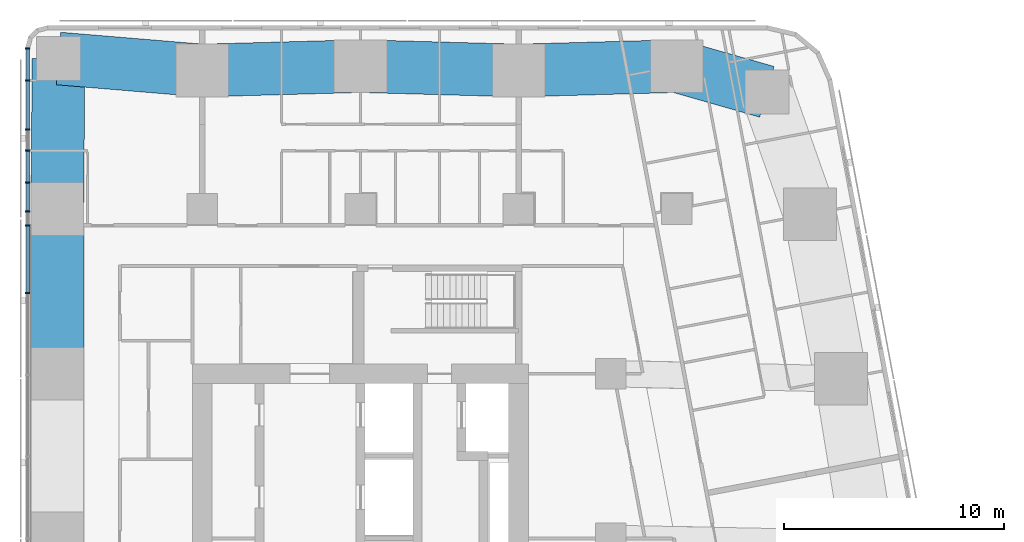
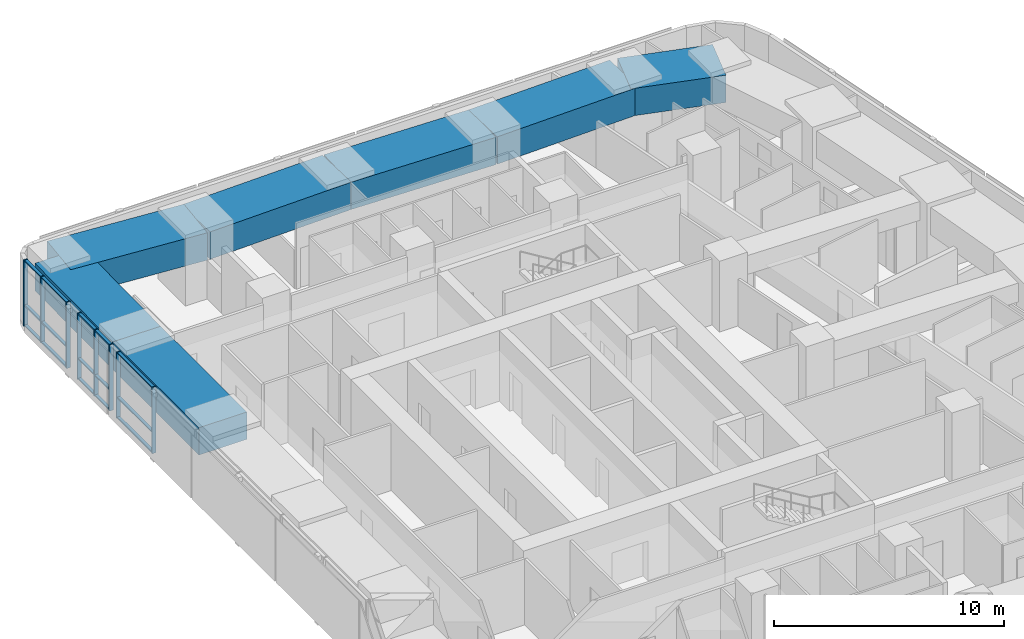
# One storey, part 5 of 19: 23 members, 7 beams, 1 element without a shape of its own.
"""IFC4 building model written with IfcOpenShell, lengths in metres."""

from ifc_helpers import new_model, si_unit, direction, frame, origin, origin_2d, place, context, subcontext, project, spatial, rectangle, extrude, material, material_profile, profile_set, type_object, element, aggregate, save


model = new_model("IFC4")

# Units and contexts
model_context = context("Model", 3, precision=1e-05, world=origin(), true_north=direction((0.0, 1.0)))
body_context = subcontext(model_context, "Body", "Model", "MODEL_VIEW")
ifc_project = project(units=[si_unit("LENGTHUNIT", "METRE"), si_unit("AREAUNIT", "SQUARE_METRE"), si_unit("VOLUMEUNIT", "CUBIC_METRE"), si_unit("PLANEANGLEUNIT", "RADIAN"), si_unit("MASSUNIT", "GRAM", prefix="KILO")], contexts=[model_context])

# Site, building, storey
site_placement = place(None, origin())
site = spatial("IfcSite", under=ifc_project, at=site_placement, CompositionType="ELEMENT")
building_placement = place(site_placement, origin())
building = spatial("IfcBuilding", under=site, at=building_placement, Name="Sheger Commons Tower", CompositionType="ELEMENT")
storey_placement = place(building_placement, frame((0.0, 0.0, 201.199951171875)))
storey = spatial("IfcBuildingStorey", under=building, at=storey_placement, Name="L51", CompositionType="ELEMENT", Elevation=201.199951171875)

# Curtain wall, members
ifc_material_1 = material(Name="Black aluminium curtain wall, dark tinted glazing", Category="aluminium")
curtain_wall_type = type_object("IfcCurtainWallType", Name="CURTAIN WALL CW4 GALLERY", PredefinedType="USERDEFINED", material=ifc_material_1)
curtain_wall_placement = place(storey_placement, origin())
curtain_wall = element("IfcCurtainWall", 1, at=curtain_wall_placement, inside=storey, type_object=curtain_wall_type, Name="Curtain Wall Cw4 Gallery W1 L51", ObjectType="UNITISED CURTAIN WALL", PredefinedType="USERDEFINED")
ifc_material_2 = material(Name="Black anodised aluminium", Category="aluminium")
ifc_material_profile_1 = material_profile(ifc_material_2, rectangle(XDim=0.199951171875, YDim=0.06494140625, at=origin_2d()), Name="AL 65x200")
ifc_profile_set_1 = profile_set([ifc_material_profile_1], Name="Black anodised aluminium")
member_type_1 = type_object("IfcMemberType", Name="MULLION AL 65x200", PredefinedType="MULLION", material=ifc_profile_set_1)
member_1_placement = place(storey_placement, frame((6.449951171875, 44.804443359375, 0.0), z_axis=(0.0, 0.0, 1.0), x_axis=(1.0, 0.0, 0.0)))
member_1 = element("IfcMember", 2, at=member_1_placement, type_object=member_type_1, Name="CW4 mullion 1", PredefinedType="MULLION", context=body_context, shape_type="SweptSolid", body=[
    extrude(rectangle(XDim=0.199951171875, YDim=0.06494140625, at=origin_2d()), origin(), (0.0, 0.0, 1.0), 3.5),
])
member_2_placement = place(storey_placement, frame((6.449951171875, 43.345947265625, 0.0), z_axis=(0.0, 0.0, 1.0), x_axis=(1.0, 0.0, 0.0)))
member_2 = element("IfcMember", 3, at=member_2_placement, type_object=member_type_1, Name="CW4 mullion 2", PredefinedType="MULLION", context=body_context, shape_type="SweptSolid", body=[
    extrude(rectangle(XDim=0.199951171875, YDim=0.06494140625, at=origin_2d()), origin(), (0.0, 0.0, 1.0), 3.5),
])
member_3_placement = place(storey_placement, frame((6.449951171875, 41.114013671875, 0.0), z_axis=(0.0, 0.0, 1.0), x_axis=(1.0, 0.0, 0.0)))
member_3 = element("IfcMember", 4, at=member_3_placement, type_object=member_type_1, Name="CW4 mullion 3", PredefinedType="MULLION", context=body_context, shape_type="SweptSolid", body=[
    extrude(rectangle(XDim=0.199951171875, YDim=0.06494140625, at=origin_2d()), origin(), (0.0, 0.0, 1.0), 3.5),
])
member_4_placement = place(storey_placement, frame((6.449951171875, 40.14990234375, 0.0), z_axis=(0.0, 0.0, 1.0), x_axis=(1.0, 0.0, 0.0)))
member_4 = element("IfcMember", 5, at=member_4_placement, type_object=member_type_1, Name="CW4 mullion 4", PredefinedType="MULLION", context=body_context, shape_type="SweptSolid", body=[
    extrude(rectangle(XDim=0.199951171875, YDim=0.06494140625, at=origin_2d()), origin(), (0.0, 0.0, 1.0), 3.5),
])
member_5_placement = place(storey_placement, frame((6.449951171875, 38.699951171875, 0.0), z_axis=(0.0, 0.0, 1.0), x_axis=(1.0, 0.0, 0.0)))
member_5 = element("IfcMember", 6, at=member_5_placement, type_object=member_type_1, Name="CW4 mullion 5", PredefinedType="MULLION", context=body_context, shape_type="SweptSolid", body=[
    extrude(rectangle(XDim=0.199951171875, YDim=0.06494140625, at=origin_2d()), origin(), (0.0, 0.0, 1.0), 3.5),
])
member_6_placement = place(storey_placement, frame((6.449951171875, 37.39111328125, 0.0), z_axis=(0.0, 0.0, 1.0), x_axis=(1.0, 0.0, 0.0)))
member_6 = element("IfcMember", 7, at=member_6_placement, type_object=member_type_1, Name="CW4 mullion 6", PredefinedType="MULLION", context=body_context, shape_type="SweptSolid", body=[
    extrude(rectangle(XDim=0.199951171875, YDim=0.06494140625, at=origin_2d()), origin(), (0.0, 0.0, 1.0), 3.5),
])
member_7_placement = place(storey_placement, frame((6.449951171875, 36.75, 0.0), z_axis=(0.0, 0.0, 1.0), x_axis=(1.0, 0.0, 0.0)))
member_7 = element("IfcMember", 8, at=member_7_placement, type_object=member_type_1, Name="CW4 mullion 7", PredefinedType="MULLION", context=body_context, shape_type="SweptSolid", body=[
    extrude(rectangle(XDim=0.199951171875, YDim=0.06494140625, at=origin_2d()), origin(), (0.0, 0.0, 1.0), 3.5),
])
member_8_placement = place(storey_placement, frame((6.449951171875, 33.66796875, 0.0), z_axis=(0.0, 0.0, 1.0), x_axis=(1.0, 0.0, 0.0)))
member_8 = element("IfcMember", 9, at=member_8_placement, type_object=member_type_1, Name="CW4 mullion 8", PredefinedType="MULLION", context=body_context, shape_type="SweptSolid", body=[
    extrude(rectangle(XDim=0.199951171875, YDim=0.06494140625, at=origin_2d()), origin(), (0.0, 0.0, 1.0), 3.5),
])

# Beams
ifc_material_3 = material(Name="Concrete C50/60", Category="concrete")
ifc_material_profile_2 = material_profile(ifc_material_3, rectangle(XDim=2.39990234375, YDim=1.449951171875, at=origin_2d()), Name="RC 2400x1450")
ifc_profile_set_2 = profile_set([ifc_material_profile_2], Name="Concrete C50/60")
beam_type = type_object("IfcBeamType", Name="SPANDREL RC 2400x1450", PredefinedType="SPANDREL", material=ifc_profile_set_2)
beam_1_placement = place(storey_placement, frame((40.10205078125, 42.830078125, 2.775146484375), z_axis=(-0.961653428129, 0.274267541221, 0.0), x_axis=(-0.274267541221, -0.961653428129, 0.0)))
element("IfcBeam", 10, at=beam_1_placement, inside=storey, type_object=beam_type, Name="Beam 41.490,44.505-6/G under L52", PredefinedType="SPANDREL", context=body_context, shape_type="SweptSolid", body=[
    extrude(rectangle(XDim=2.39990234375, YDim=1.449951171875, at=origin_2d()), origin(), (0.0, 0.0, 1.0), 4.265625),
])
for number, where, z_axis, x_axis, name in (
    (11, (36.0, 44.0, 2.775146484375), (-0.999614603568, -0.027760481514, 0.0), (0.027760481514, -0.999614603568, 0.0), "Beam 6/G-5/G under L52"),
    (12, (28.800048828125, 43.800048828125, 2.775146484375), (-0.999614603568, 0.027760481514, 0.0), (-0.027760481514, -0.999614603568, 0.0), "Beam 5/G-4/G under L52"),
):
    element("IfcBeam", number, at=place(storey_placement, frame(where, z_axis=z_axis, x_axis=x_axis)), inside=storey, type_object=beam_type, Name=name, PredefinedType="SPANDREL", context=body_context, shape_type="SweptSolid", body=[
        extrude(rectangle(XDim=2.39990234375, YDim=1.449951171875, at=origin_2d()), origin(), (0.0, 0.0, 1.0), 7.20263671875),
    ])
beam_2_placement = place(storey_placement, frame((21.60009765625, 44.0, 2.775146484375), z_axis=(-0.999614629688, -0.027759540951, 0.0), x_axis=(0.027759540951, -0.999614629688, 0.0)))
element("IfcBeam", 13, at=beam_2_placement, inside=storey, type_object=beam_type, Name="Beam 4/G-3/G under L52", PredefinedType="SPANDREL", context=body_context, shape_type="SweptSolid", body=[
    extrude(rectangle(XDim=2.39990234375, YDim=1.449951171875, at=origin_2d()), origin(), (0.0, 0.0, 1.0), 7.202880859375),
])
beam_3_placement = place(storey_placement, frame((14.39990234375, 43.800048828125, 2.775146484375), z_axis=(-0.996540629765, 0.083106998663, 0.0), x_axis=(-0.083106998663, -0.996540629765, 0.0)))
element("IfcBeam", 14, at=beam_3_placement, inside=storey, type_object=beam_type, Name="Beam 3/G-2/G under L52", PredefinedType="SPANDREL", context=body_context, shape_type="SweptSolid", body=[
    extrude(rectangle(XDim=2.39990234375, YDim=1.449951171875, at=origin_2d()), origin(), (0.0, 0.0, 1.0), 6.568603515625),
])
beam_4_placement = place(storey_placement, frame((7.85400390625, 44.345947265625, 2.775146484375), z_axis=(-0.00788107188, -0.999968943871, 0.0), x_axis=(0.999968943871, -0.00788107188, 0.0)))
element("IfcBeam", 15, at=beam_4_placement, inside=storey, type_object=beam_type, Name="Beam 2/G-2/F under L52", PredefinedType="SPANDREL", context=body_context, shape_type="SweptSolid", body=[
    extrude(rectangle(XDim=2.39990234375, YDim=1.449951171875, at=origin_2d()), origin(), (0.0, 0.0, 1.0), 6.84619140625),
])
beam_5_placement = place(storey_placement, frame((7.800048828125, 37.5, 2.775146484375), z_axis=(0.0, -1.0, 0.0), x_axis=(1.0, 0.0, 0.0)))
element("IfcBeam", 16, at=beam_5_placement, inside=storey, type_object=beam_type, Name="Beam 2/F-2/E under L52", PredefinedType="SPANDREL", context=body_context, shape_type="SweptSolid", body=[
    extrude(rectangle(XDim=2.39990234375, YDim=1.449951171875, at=origin_2d()), origin(), (0.0, 0.0, 1.0), 7.5),
])

# Member
ifc_material_4 = material(Name="Black anodised aluminium", Category="aluminium")
ifc_material_profile_3 = material_profile(ifc_material_4, rectangle(XDim=0.14990234375, YDim=0.06494140625, at=origin_2d()), Name="AL 65x150")
ifc_profile_set_3 = profile_set([ifc_material_profile_3], Name="Black anodised aluminium")
member_type_2 = type_object("IfcMemberType", Name="TRANSOM AL 65x150", PredefinedType="USERDEFINED", material=ifc_profile_set_3)
member_9_placement = place(storey_placement, frame((6.449951171875, 44.77197265625, 0.032470703125), z_axis=(0.0, -1.0, 0.0), x_axis=(1.0, 0.0, 0.0)))
member_9 = element("IfcMember", 17, at=member_9_placement, type_object=member_type_2, Name="CW4 transom 1.1", ObjectType="TRANSOM", PredefinedType="USERDEFINED", context=body_context, shape_type="SweptSolid", body=[
    extrude(rectangle(XDim=0.14990234375, YDim=0.06494140625, at=origin_2d()), origin(), (0.0, 0.0, 1.0), 1.3935546875),
])

member_10_placement = place(storey_placement, frame((6.449951171875, 44.77197265625, 1.10009765625), z_axis=(0.0, -1.0, 0.0), x_axis=(1.0, 0.0, 0.0)))
member_10 = element("IfcMember", 18, at=member_10_placement, type_object=member_type_2, Name="CW4 transom 1.2", ObjectType="TRANSOM", PredefinedType="USERDEFINED", context=body_context, shape_type="SweptSolid", body=[
    extrude(rectangle(XDim=0.14990234375, YDim=0.06494140625, at=origin_2d()), origin(), (0.0, 0.0, 1.0), 1.3935546875),
])

member_11_placement = place(storey_placement, frame((6.449951171875, 44.77197265625, 3.467529296875), z_axis=(0.0, -1.0, 0.0), x_axis=(1.0, 0.0, 0.0)))
member_11 = element("IfcMember", 19, at=member_11_placement, type_object=member_type_2, Name="CW4 transom 1.3", ObjectType="TRANSOM", PredefinedType="USERDEFINED", context=body_context, shape_type="SweptSolid", body=[
    extrude(rectangle(XDim=0.14990234375, YDim=0.06494140625, at=origin_2d()), origin(), (0.0, 0.0, 1.0), 1.3935546875),
])

member_12_placement = place(storey_placement, frame((6.449951171875, 43.3134765625, 0.032470703125), z_axis=(0.0, -1.0, 0.0), x_axis=(1.0, 0.0, 0.0)))
member_12 = element("IfcMember", 20, at=member_12_placement, type_object=member_type_2, Name="CW4 transom 2.1", ObjectType="TRANSOM", PredefinedType="USERDEFINED", context=body_context, shape_type="SweptSolid", body=[
    extrude(rectangle(XDim=0.14990234375, YDim=0.06494140625, at=origin_2d()), origin(), (0.0, 0.0, 1.0), 2.1669921875),
])

member_13_placement = place(storey_placement, frame((6.449951171875, 43.3134765625, 1.10009765625), z_axis=(0.0, -1.0, 0.0), x_axis=(1.0, 0.0, 0.0)))
member_13 = element("IfcMember", 21, at=member_13_placement, type_object=member_type_2, Name="CW4 transom 2.2", ObjectType="TRANSOM", PredefinedType="USERDEFINED", context=body_context, shape_type="SweptSolid", body=[
    extrude(rectangle(XDim=0.14990234375, YDim=0.06494140625, at=origin_2d()), origin(), (0.0, 0.0, 1.0), 2.1669921875),
])

member_14_placement = place(storey_placement, frame((6.449951171875, 43.3134765625, 3.467529296875), z_axis=(0.0, -1.0, 0.0), x_axis=(1.0, 0.0, 0.0)))
member_14 = element("IfcMember", 22, at=member_14_placement, type_object=member_type_2, Name="CW4 transom 2.3", ObjectType="TRANSOM", PredefinedType="USERDEFINED", context=body_context, shape_type="SweptSolid", body=[
    extrude(rectangle(XDim=0.14990234375, YDim=0.06494140625, at=origin_2d()), origin(), (0.0, 0.0, 1.0), 2.1669921875),
])

member_15_placement = place(storey_placement, frame((6.449951171875, 40.117431640625, 0.032470703125), z_axis=(0.0, -1.0, 0.0), x_axis=(1.0, 0.0, 0.0)))
member_15 = element("IfcMember", 23, at=member_15_placement, type_object=member_type_2, Name="CW4 transom 4.1", ObjectType="TRANSOM", PredefinedType="USERDEFINED", context=body_context, shape_type="SweptSolid", body=[
    extrude(rectangle(XDim=0.14990234375, YDim=0.06494140625, at=origin_2d()), origin(), (0.0, 0.0, 1.0), 1.385009765625),
])

member_16_placement = place(storey_placement, frame((6.449951171875, 40.117431640625, 1.10009765625), z_axis=(0.0, -1.0, 0.0), x_axis=(1.0, 0.0, 0.0)))
member_16 = element("IfcMember", 24, at=member_16_placement, type_object=member_type_2, Name="CW4 transom 4.2", ObjectType="TRANSOM", PredefinedType="USERDEFINED", context=body_context, shape_type="SweptSolid", body=[
    extrude(rectangle(XDim=0.14990234375, YDim=0.06494140625, at=origin_2d()), origin(), (0.0, 0.0, 1.0), 1.385009765625),
])

member_17_placement = place(storey_placement, frame((6.449951171875, 40.117431640625, 3.467529296875), z_axis=(0.0, -1.0, 0.0), x_axis=(1.0, 0.0, 0.0)))
member_17 = element("IfcMember", 25, at=member_17_placement, type_object=member_type_2, Name="CW4 transom 4.3", ObjectType="TRANSOM", PredefinedType="USERDEFINED", context=body_context, shape_type="SweptSolid", body=[
    extrude(rectangle(XDim=0.14990234375, YDim=0.06494140625, at=origin_2d()), origin(), (0.0, 0.0, 1.0), 1.385009765625),
])

member_18_placement = place(storey_placement, frame((6.449951171875, 38.66748046875, 0.032470703125), z_axis=(0.0, -1.0, 0.0), x_axis=(1.0, 0.0, 0.0)))
member_18 = element("IfcMember", 26, at=member_18_placement, type_object=member_type_2, Name="CW4 transom 5.1", ObjectType="TRANSOM", PredefinedType="USERDEFINED", context=body_context, shape_type="SweptSolid", body=[
    extrude(rectangle(XDim=0.14990234375, YDim=0.06494140625, at=origin_2d()), origin(), (0.0, 0.0, 1.0), 1.243896484375),
])

member_19_placement = place(storey_placement, frame((6.449951171875, 38.66748046875, 1.10009765625), z_axis=(0.0, -1.0, 0.0), x_axis=(1.0, 0.0, 0.0)))
member_19 = element("IfcMember", 27, at=member_19_placement, type_object=member_type_2, Name="CW4 transom 5.2", ObjectType="TRANSOM", PredefinedType="USERDEFINED", context=body_context, shape_type="SweptSolid", body=[
    extrude(rectangle(XDim=0.14990234375, YDim=0.06494140625, at=origin_2d()), origin(), (0.0, 0.0, 1.0), 1.243896484375),
])

member_20_placement = place(storey_placement, frame((6.449951171875, 38.66748046875, 3.467529296875), z_axis=(0.0, -1.0, 0.0), x_axis=(1.0, 0.0, 0.0)))
member_20 = element("IfcMember", 28, at=member_20_placement, type_object=member_type_2, Name="CW4 transom 5.3", ObjectType="TRANSOM", PredefinedType="USERDEFINED", context=body_context, shape_type="SweptSolid", body=[
    extrude(rectangle(XDim=0.14990234375, YDim=0.06494140625, at=origin_2d()), origin(), (0.0, 0.0, 1.0), 1.243896484375),
])

member_21_placement = place(storey_placement, frame((6.449951171875, 36.717529296875, 0.032470703125), z_axis=(0.0, -1.0, 0.0), x_axis=(1.0, 0.0, 0.0)))
member_21 = element("IfcMember", 29, at=member_21_placement, type_object=member_type_2, Name="CW4 transom 7.1", ObjectType="TRANSOM", PredefinedType="USERDEFINED", context=body_context, shape_type="SweptSolid", body=[
    extrude(rectangle(XDim=0.14990234375, YDim=0.06494140625, at=origin_2d()), origin(), (0.0, 0.0, 1.0), 3.01708984375),
])

member_22_placement = place(storey_placement, frame((6.449951171875, 36.717529296875, 1.10009765625), z_axis=(0.0, -1.0, 0.0), x_axis=(1.0, 0.0, 0.0)))
member_22 = element("IfcMember", 30, at=member_22_placement, type_object=member_type_2, Name="CW4 transom 7.2", ObjectType="TRANSOM", PredefinedType="USERDEFINED", context=body_context, shape_type="SweptSolid", body=[
    extrude(rectangle(XDim=0.14990234375, YDim=0.06494140625, at=origin_2d()), origin(), (0.0, 0.0, 1.0), 3.01708984375),
])

member_23_placement = place(storey_placement, frame((6.449951171875, 36.717529296875, 3.467529296875), z_axis=(0.0, -1.0, 0.0), x_axis=(1.0, 0.0, 0.0)))
member_23 = element("IfcMember", 31, at=member_23_placement, type_object=member_type_2, Name="CW4 transom 7.3", ObjectType="TRANSOM", PredefinedType="USERDEFINED", context=body_context, shape_type="SweptSolid", body=[
    extrude(rectangle(XDim=0.14990234375, YDim=0.06494140625, at=origin_2d()), origin(), (0.0, 0.0, 1.0), 3.01708984375),
])

aggregate(curtain_wall, [member_1, member_2, member_3, member_4, member_5, member_6, member_7, member_8, member_9, member_10, member_11, member_12, member_13, member_14, member_15, member_16, member_17, member_18, member_19, member_20, member_21, member_22, member_23])

save(model, "model.ifc")
